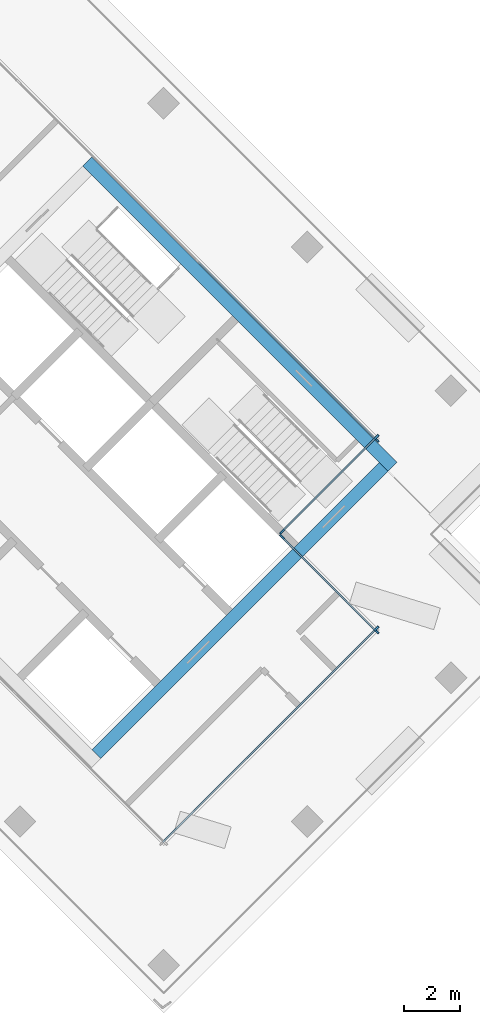
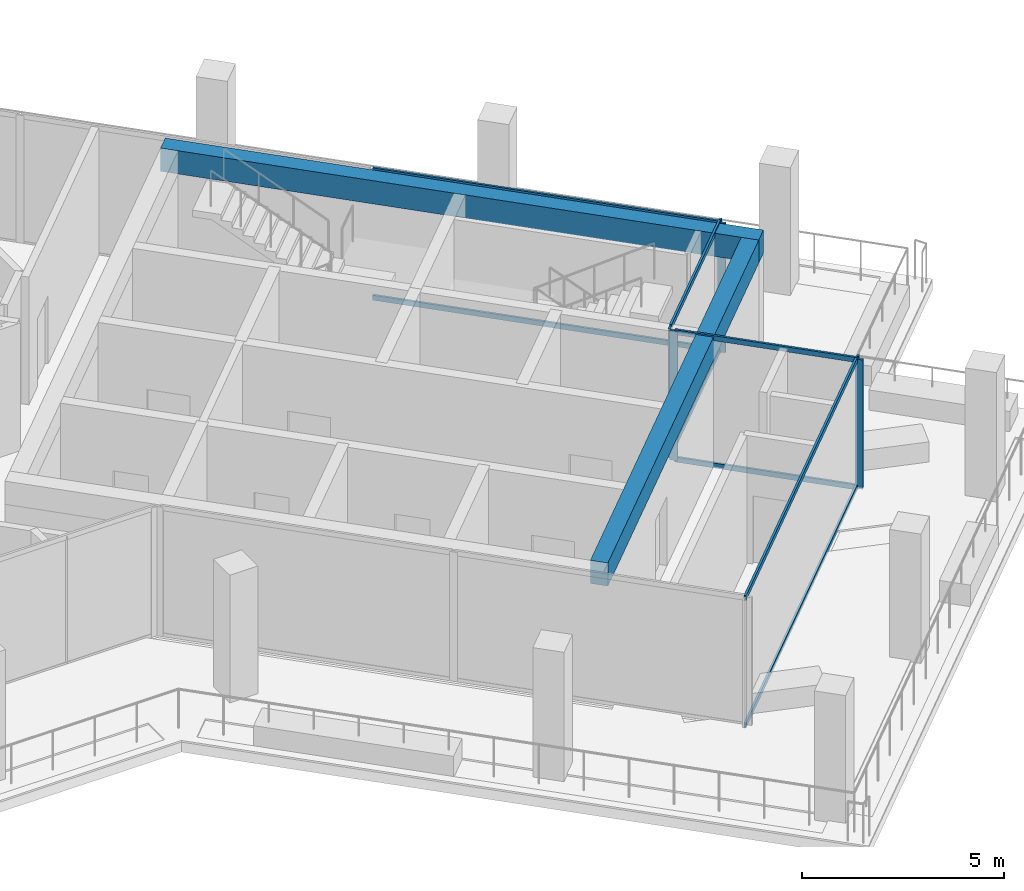
# One storey, part 7 of 20: 14 members, 2 beams, 4 elements without a shape of their own.
"""IFC4 building model written with IfcOpenShell, lengths in metres."""

from ifc_helpers import new_model, si_unit, direction, frame, origin, origin_2d, place, context, subcontext, project, spatial, rectangle, extrude, material, material_profile, profile_set, type_object, element, aggregate, save


model = new_model("IFC4")

# Units and contexts
model_context = context("Model", 3, precision=1e-05, world=origin(), true_north=direction((0.0, 1.0)))
body_context = subcontext(model_context, "Body", "Model", "MODEL_VIEW")
ifc_project = project(units=[si_unit("LENGTHUNIT", "METRE"), si_unit("AREAUNIT", "SQUARE_METRE"), si_unit("VOLUMEUNIT", "CUBIC_METRE"), si_unit("PLANEANGLEUNIT", "RADIAN"), si_unit("MASSUNIT", "GRAM", prefix="KILO")], contexts=[model_context])

# Site, building, storey
site_placement = place(None, origin())
site = spatial("IfcSite", under=ifc_project, at=site_placement, CompositionType="ELEMENT")
building_placement = place(site_placement, origin())
building = spatial("IfcBuilding", under=site, at=building_placement, Name="Windrow Commons", CompositionType="ELEMENT")
storey_placement = place(building_placement, frame((0.0, 0.0, 239.6)))
storey = spatial("IfcBuildingStorey", under=building, at=storey_placement, Name="L65", CompositionType="ELEMENT", Elevation=239.6)

# Curtain wall, members
ifc_material_1 = material(Name="Clear laminated glass in Aluminium 6063-T6 anodised frame", Category="aluminium")
curtain_wall_type = type_object("IfcCurtainWallType", Name="Curtain wall CW2H sky lounge upper", PredefinedType="USERDEFINED", material=ifc_material_1)
placement = place(storey_placement, origin())
curtain_wall_1 = element("IfcCurtainWall", 1, at=placement, inside=storey, type_object=curtain_wall_type, Name="Curtain wall CW2H L65 1", ObjectType="UNITISED", PredefinedType="USERDEFINED")
ifc_material_2 = material(Name="Aluminium 6063-T6", Category="aluminium")
ifc_material_profile_1 = material_profile(ifc_material_2, rectangle(XDim=0.06, YDim=0.2, at=origin_2d()))
ifc_profile_set_1 = profile_set([ifc_material_profile_1], Name="Aluminium 6063-T6")
member_type_1 = type_object("IfcMemberType", Name="CW2H mullion 60x200", PredefinedType="MULLION", material=ifc_profile_set_1)
member_1_placement = place(storey_placement, frame((96.9272, 43.1005, 0.0), z_axis=(0.0, 0.0, 1.0), x_axis=(-0.7071171977, -0.7070963646, 0.0)))
member_1 = element("IfcMember", 2, at=member_1_placement, type_object=member_type_1, Name="CW2H mullion 1", PredefinedType="MULLION", context=body_context, shape_type="SweptSolid", body=[
    extrude(rectangle(XDim=0.06, YDim=0.2, at=origin_2d()), origin(), (0.0, 0.0, 1.0), 3.9),
])
member_2_placement = place(storey_placement, frame((93.5755, 46.4523, 0.0), z_axis=(0.0, 0.0, 1.0), x_axis=(-0.7071171977, -0.7070963646, 0.0)))
member_2 = element("IfcMember", 3, at=member_2_placement, type_object=member_type_1, Name="CW2H mullion 2", PredefinedType="MULLION", context=body_context, shape_type="SweptSolid", body=[
    extrude(rectangle(XDim=0.06, YDim=0.2, at=origin_2d()), origin(), (0.0, 0.0, 1.0), 3.9),
])

curtain_wall_2 = element("IfcCurtainWall", 4, at=placement, inside=storey, type_object=curtain_wall_type, Name="Curtain wall CW2H L65 2", ObjectType="UNITISED", PredefinedType="USERDEFINED")
member_3_placement = place(storey_placement, frame((93.5755, 46.6361, 0.0), z_axis=(0.0, 0.0, 1.0), x_axis=(-0.7071067812, 0.7071067812, 0.0)))
member_3 = element("IfcMember", 5, at=member_3_placement, type_object=member_type_1, Name="CW2H mullion 1", PredefinedType="MULLION", context=body_context, shape_type="SweptSolid", body=[
    extrude(rectangle(XDim=0.06, YDim=0.2, at=origin_2d()), origin(), (0.0, 0.0, 1.0), 3.9),
])
member_4_placement = place(storey_placement, frame((96.9272, 49.9878, 0.0), z_axis=(0.0, 0.0, 1.0), x_axis=(-0.7071067812, 0.7071067812, 0.0)))
member_4 = element("IfcMember", 6, at=member_4_placement, type_object=member_type_1, Name="CW2H mullion 2", PredefinedType="MULLION", context=body_context, shape_type="SweptSolid", body=[
    extrude(rectangle(XDim=0.06, YDim=0.2, at=origin_2d()), origin(), (0.0, 0.0, 1.0), 3.9),
])

# Curtain wall, member
curtain_wall_3 = element("IfcCurtainWall", 7, at=placement, inside=storey, type_object=curtain_wall_type, Name="Curtain wall CW2H L65 3", ObjectType="UNITISED", PredefinedType="USERDEFINED")
member_5_placement = place(storey_placement, frame((96.9272, 49.8888, 0.0), z_axis=(0.0, 0.0, 1.0), x_axis=(-0.7071067812, -0.7071067812, 0.0)))
member_5 = element("IfcMember", 8, at=member_5_placement, type_object=member_type_1, Name="CW2H mullion 1", PredefinedType="MULLION", context=body_context, shape_type="SweptSolid", body=[
    extrude(rectangle(XDim=0.06, YDim=0.2, at=origin_2d()), origin(), (0.0, 0.0, 1.0), 3.9),
])

curtain_wall_4 = element("IfcCurtainWall", 9, at=placement, inside=storey, type_object=curtain_wall_type, Name="Curtain wall CW2H L65 14", ObjectType="UNITISED", PredefinedType="USERDEFINED")
member_6_placement = place(storey_placement, frame((96.9272, 43.1995, 0.0), z_axis=(0.0, 0.0, 1.0), x_axis=(-0.7071021515, 0.7071114108, 0.0)))
member_6 = element("IfcMember", 10, at=member_6_placement, type_object=member_type_1, Name="CW2H mullion 2", PredefinedType="MULLION", context=body_context, shape_type="SweptSolid", body=[
    extrude(rectangle(XDim=0.06, YDim=0.2, at=origin_2d()), origin(), (0.0, 0.0, 1.0), 3.9),
])

# Member
ifc_material_3 = material(Name="Aluminium 6063-T6", Category="aluminium")
ifc_material_profile_2 = material_profile(ifc_material_3, rectangle(XDim=0.06, YDim=0.15, at=origin_2d()))
ifc_profile_set_2 = profile_set([ifc_material_profile_2], Name="Aluminium 6063-T6")
member_type_2 = type_object("IfcMemberType", Name="CW2H transom 60x150", PredefinedType="USERDEFINED", material=ifc_profile_set_2)
member_7_placement = place(storey_placement, frame((96.906, 43.1217, 0.03), z_axis=(-0.7070960976, 0.7071174646, 0.0), x_axis=(-0.7071174646, -0.7070960976, 0.0)))
member_7 = element("IfcMember", 11, at=member_7_placement, type_object=member_type_2, Name="CW2H transom 1.1", ObjectType="TRANSOM", PredefinedType="USERDEFINED", context=body_context, shape_type="SweptSolid", body=[
    extrude(rectangle(XDim=0.06, YDim=0.15, at=origin_2d()), origin(), (0.0, 0.0, 1.0), 4.6801),
])

member_8_placement = place(storey_placement, frame((96.906, 43.1217, 3.87), z_axis=(-0.7070960976, 0.7071174646, 0.0), x_axis=(-0.7071174646, -0.7070960976, 0.0)))
member_8 = element("IfcMember", 12, at=member_8_placement, type_object=member_type_2, Name="CW2H transom 1.2", ObjectType="TRANSOM", PredefinedType="USERDEFINED", context=body_context, shape_type="SweptSolid", body=[
    extrude(rectangle(XDim=0.06, YDim=0.15, at=origin_2d()), origin(), (0.0, 0.0, 1.0), 4.6801),
])

aggregate(curtain_wall_1, [member_1, member_2, member_7, member_8])

member_9_placement = place(storey_placement, frame((93.5967, 46.6573, 0.03), z_axis=(0.7071067812, 0.7071067812, 0.0), x_axis=(-0.7071067812, 0.7071067812, 0.0)))
member_9 = element("IfcMember", 13, at=member_9_placement, type_object=member_type_2, Name="CW2H transom 1.1", ObjectType="TRANSOM", PredefinedType="USERDEFINED", context=body_context, shape_type="SweptSolid", body=[
    extrude(rectangle(XDim=0.06, YDim=0.15, at=origin_2d()), origin(), (0.0, 0.0, 1.0), 4.6801),
])

member_10_placement = place(storey_placement, frame((93.5967, 46.6573, 3.87), z_axis=(0.7071067812, 0.7071067812, 0.0), x_axis=(-0.7071067812, 0.7071067812, 0.0)))
member_10 = element("IfcMember", 14, at=member_10_placement, type_object=member_type_2, Name="CW2H transom 1.2", ObjectType="TRANSOM", PredefinedType="USERDEFINED", context=body_context, shape_type="SweptSolid", body=[
    extrude(rectangle(XDim=0.06, YDim=0.15, at=origin_2d()), origin(), (0.0, 0.0, 1.0), 4.6801),
])

aggregate(curtain_wall_2, [member_3, member_4, member_9, member_10])

member_11_placement = place(storey_placement, frame((96.906, 49.91, 0.03), z_axis=(-0.7071067812, 0.7071067812, 0.0), x_axis=(-0.7071067812, -0.7071067812, 0.0)))
member_11 = element("IfcMember", 15, at=member_11_placement, type_object=member_type_2, Name="CW2H transom 1.1", ObjectType="TRANSOM", PredefinedType="USERDEFINED", context=body_context, shape_type="SweptSolid", body=[
    extrude(rectangle(XDim=0.06, YDim=0.15, at=origin_2d()), origin(), (0.0, 0.0, 1.0), 8.8958),
])

member_12_placement = place(storey_placement, frame((96.906, 49.91, 3.87), z_axis=(-0.7071067812, 0.7071067812, 0.0), x_axis=(-0.7071067812, -0.7071067812, 0.0)))
member_12 = element("IfcMember", 16, at=member_12_placement, type_object=member_type_2, Name="CW2H transom 1.2", ObjectType="TRANSOM", PredefinedType="USERDEFINED", context=body_context, shape_type="SweptSolid", body=[
    extrude(rectangle(XDim=0.06, YDim=0.15, at=origin_2d()), origin(), (0.0, 0.0, 1.0), 8.8958),
])

aggregate(curtain_wall_3, [member_5, member_11, member_12])

member_13_placement = place(storey_placement, frame((89.354, 35.6264, 0.03), z_axis=(0.7071114628, 0.7071020996, 0.0), x_axis=(-0.7071020996, 0.7071114628, 0.0)))
member_13 = element("IfcMember", 17, at=member_13_placement, type_object=member_type_2, Name="CW2H transom 1.1", ObjectType="TRANSOM", PredefinedType="USERDEFINED", context=body_context, shape_type="SweptSolid", body=[
    extrude(rectangle(XDim=0.06, YDim=0.15, at=origin_2d()), origin(), (0.0, 0.0, 1.0), 10.6801),
])

member_14_placement = place(storey_placement, frame((89.354, 35.6264, 3.87), z_axis=(0.7071114628, 0.7071020996, 0.0), x_axis=(-0.7071020996, 0.7071114628, 0.0)))
member_14 = element("IfcMember", 18, at=member_14_placement, type_object=member_type_2, Name="CW2H transom 1.2", ObjectType="TRANSOM", PredefinedType="USERDEFINED", context=body_context, shape_type="SweptSolid", body=[
    extrude(rectangle(XDim=0.06, YDim=0.15, at=origin_2d()), origin(), (0.0, 0.0, 1.0), 10.6801),
])

aggregate(curtain_wall_4, [member_6, member_13, member_14])

# Beams
ifc_material_4 = material(Name="Concrete C40/50", Category="concrete")
ifc_material_profile_3 = material_profile(ifc_material_4, rectangle(XDim=0.45, YDim=0.7, at=origin_2d()))
ifc_profile_set_3 = profile_set([ifc_material_profile_3], Name="Concrete C40/50")
beam_type = type_object("IfcBeamType", Name="RC COUPLING BEAM 450x700 C40/50", PredefinedType="LINTEL", material=ifc_profile_set_3)
beam_1_placement = place(storey_placement, frame((86.6777, 59.7494, 3.55), z_axis=(0.7071035132, -0.7071100491, 0.0), x_axis=(0.7071100491, 0.7071035132, 0.0)))
element("IfcBeam", 19, at=beam_1_placement, inside=storey, type_object=beam_type, Name="Core B coupling beam outer-N", PredefinedType="LINTEL", context=body_context, shape_type="SweptSolid", body=[
    extrude(rectangle(XDim=0.45, YDim=0.7, at=origin_2d()), origin(), (0.0, 0.0, 1.0), 15.3),
])
beam_2_placement = place(storey_placement, frame((86.9959, 38.7483, 3.55), z_axis=(0.7071067812, 0.7071067812, 0.0), x_axis=(-0.7071067812, 0.7071067812, 0.0)))
element("IfcBeam", 20, at=beam_2_placement, inside=storey, type_object=beam_type, Name="Core B coupling beam outer-E", PredefinedType="LINTEL", context=body_context, shape_type="SweptSolid", body=[
    extrude(rectangle(XDim=0.45, YDim=0.7, at=origin_2d()), origin(), (0.0, 0.0, 1.0), 14.3999),
])

save(model, "model.ifc")
